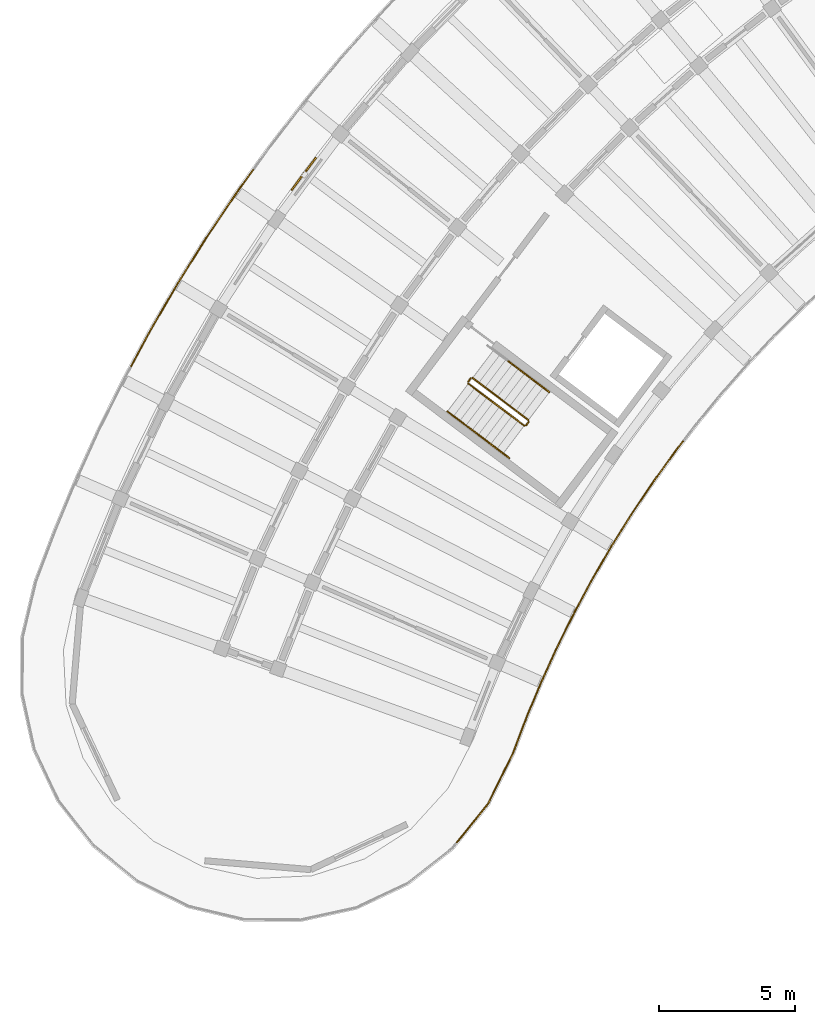
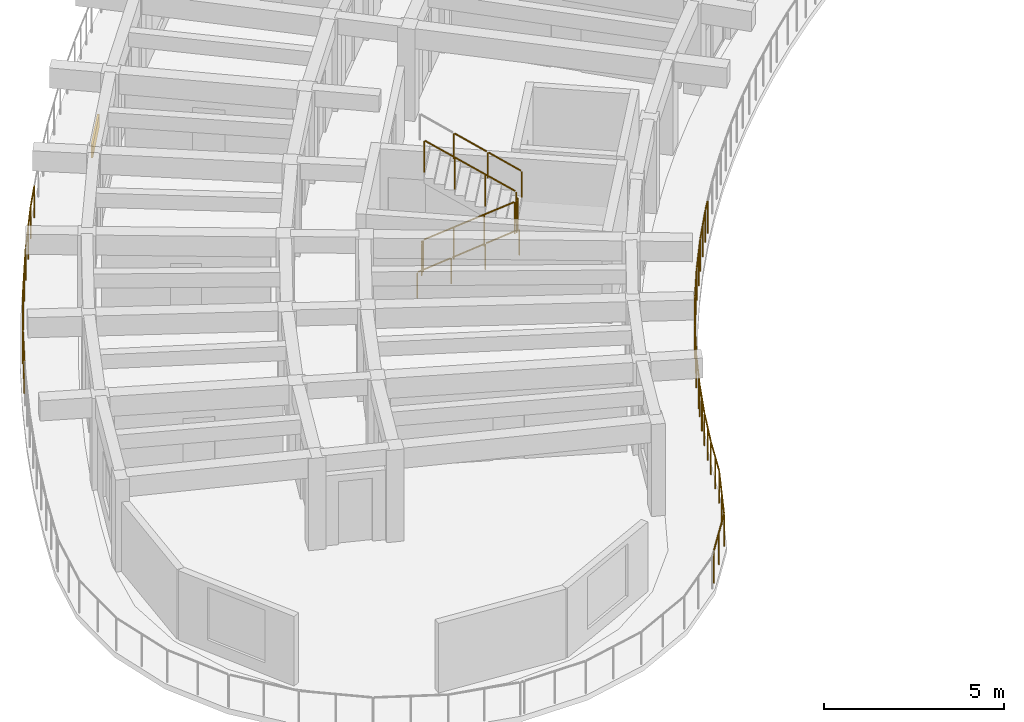
# One storey, part 33 of 41: 12 railings, 1 shading device.
"""IFC4 building model written with IfcOpenShell, lengths in metres."""

from ifc_helpers import new_model, si_unit, direction, frame, origin, origin_2d, place, context, subcontext, project, spatial, rectangle, circle, extrude, material, layer, layer_set, type_object, element, save


model = new_model("IFC4")

# Units and contexts
model_context = context("Model", 3, precision=1e-05, world=origin(), true_north=direction((0.0, 1.0)))
body_context = subcontext(model_context, "Body", "Model", "MODEL_VIEW")
ifc_project = project(units=[si_unit("LENGTHUNIT", "METRE"), si_unit("AREAUNIT", "SQUARE_METRE"), si_unit("VOLUMEUNIT", "CUBIC_METRE"), si_unit("PLANEANGLEUNIT", "RADIAN"), si_unit("MASSUNIT", "GRAM", prefix="KILO")], contexts=[model_context])

# Site, building, storey
site_placement = place(None, origin())
site = spatial("IfcSite", under=ifc_project, at=site_placement, CompositionType="ELEMENT")
building_placement = place(site_placement, origin())
building = spatial("IfcBuilding", under=site, at=building_placement, Name="Tanwirah Colonnade Gardens", CompositionType="ELEMENT")
storey_placement = place(building_placement, frame((0.0, 0.0, 35.719970703125)))
storey = spatial("IfcBuildingStorey", under=building, at=storey_placement, Name="L10", CompositionType="ELEMENT", Elevation=35.719970703125)

# Railings
ifc_material_1 = material(Name="Precast concrete C40/50", Category="concrete")
railing_type_1 = type_object("IfcRailingType", Name="BAL-EXT112", PredefinedType="BALUSTRADE", material=ifc_material_1)
railing_1_placement = place(storey_placement, frame((31.088623046875, 86.10693359375, 0.0)))
element("IfcRailing", 1, at=railing_1_placement, inside=storey, type_object=railing_type_1, Name="Block A L10 Balcony Ribbon Balustrade 5", PredefinedType="BALUSTRADE", context=body_context, shape_type="SweptSolid", body=[
    extrude(circle(Radius=0.02392578125, at=origin_2d()), frame((-0.01904296875, -0.024658203125, 1.09619140625), z_axis=(-0.611930295913, -0.790911697311, 0.0), x_axis=(0.790911697311, -0.611930295913, 0.0)), (0.0, 0.0, 1.0), 0.383544921875),
    extrude(circle(Radius=0.02392578125, at=origin_2d()), frame((-0.292724609375, -0.38037109375, 1.09619140625), z_axis=(-0.585522290474, -0.810656306556, 0.0), x_axis=(0.810656306556, -0.585522290474, 0.0)), (0.0, 0.0, 1.0), 1.341796875),
    extrude(circle(Radius=0.02392578125, at=origin_2d()), frame((-1.11572265625, -1.521484375, 1.09619140625), z_axis=(-0.558385571779, -0.829581553091, 0.0), x_axis=(0.829581553091, -0.558385571779, 0.0)), (0.0, 0.0, 1.0), 1.341796875),
    extrude(circle(Radius=0.02392578125, at=origin_2d()), frame((-1.900390625, -2.689453125, 1.09619140625), z_axis=(-0.530764445851, -0.847519382091, 0.0), x_axis=(0.847519382091, -0.530764445851, 0.0)), (0.0, 0.0, 1.0), 1.341796875),
    extrude(circle(Radius=0.02392578125, at=origin_2d()), frame((-2.646240234375, -3.88232421875, 1.09619140625), z_axis=(-0.502378729104, -0.864647681165, 0.0), x_axis=(0.864647681165, -0.502378729104, 0.0)), (0.0, 0.0, 1.0), 1.342041015625),
    extrude(circle(Radius=0.02392578125, at=origin_2d()), frame((-3.352294921875, -5.099365234375, 1.09619140625), z_axis=(-0.473716211853, -0.880677552018, 0.0), x_axis=(0.880677552018, -0.473716211853, 0.0)), (0.0, 0.0, 1.0), 1.341796875),
    extrude(circle(Radius=0.02392578125, at=origin_2d()), frame((-4.017822265625, -6.3388671875, 1.09619140625), z_axis=(-0.444617511773, -0.895720530201, 0.0), x_axis=(0.895720530201, -0.444617511773, 0.0)), (0.0, 0.0, 1.0), 0.953857421875),
    extrude(circle(Radius=0.02099609375, at=origin_2d()), origin(), (0.0, 0.0, 1.0), 1.069091796875),
    extrude(circle(Radius=0.02099609375, at=origin_2d()), frame((-0.27294921875, -0.352783203125, 0.0)), (0.0, 0.0, 1.0), 1.069091796875),
    extrude(circle(Radius=0.02099609375, at=origin_2d()), frame((-0.685546875, -0.92431640625, 0.0)), (0.0, 0.0, 1.0), 1.069091796875),
    extrude(circle(Radius=0.02099609375, at=origin_2d()), frame((-1.0966796875, -1.493408203125, 0.0)), (0.0, 0.0, 1.0), 1.069091796875),
    extrude(circle(Radius=0.02099609375, at=origin_2d()), frame((-1.490234375, -2.078125, 0.0)), (0.0, 0.0, 1.0), 1.069091796875),
    extrude(circle(Radius=0.02099609375, at=origin_2d()), frame((-1.88232421875, -2.66064453125, 0.0)), (0.0, 0.0, 1.0), 1.069091796875),
    extrude(circle(Radius=0.02099609375, at=origin_2d()), frame((-2.25634765625, -3.2578125, 0.0)), (0.0, 0.0, 1.0), 1.069091796875),
    extrude(circle(Radius=0.02099609375, at=origin_2d()), frame((-2.629150390625, -3.85302734375, 0.0)), (0.0, 0.0, 1.0), 1.069091796875),
    extrude(circle(Radius=0.02099609375, at=origin_2d()), frame((-2.9833984375, -4.46240234375, 0.0)), (0.0, 0.0, 1.0), 1.069091796875),
    extrude(circle(Radius=0.02099609375, at=origin_2d()), frame((-3.336181640625, -5.069580078125, 0.0)), (0.0, 0.0, 1.0), 1.069091796875),
    extrude(circle(Radius=0.02099609375, at=origin_2d()), frame((-3.669921875, -5.690185546875, 0.0)), (0.0, 0.0, 1.0), 1.069091796875),
    extrude(circle(Radius=0.02099609375, at=origin_2d()), frame((-4.002685546875, -6.30859375, 0.0)), (0.0, 0.0, 1.0), 1.069091796875),
    extrude(circle(Radius=0.02099609375, at=origin_2d()), frame((-4.455810546875, -7.22119140625, 0.0)), (0.0, 0.0, 1.0), 1.069091796875),
])
railing_2_placement = place(storey_placement, frame((26.6328125, 78.8857421875, 0.0)))
element("IfcRailing", 2, at=railing_2_placement, inside=storey, type_object=railing_type_1, Name="Block A L10 Balcony Ribbon Balustrade 6", PredefinedType="BALUSTRADE", context=body_context, shape_type="SweptSolid", body=[
    extrude(circle(Radius=0.02392578125, at=origin_2d()), frame((-0.013916015625, -0.028076171875, 1.09619140625), z_axis=(-0.44419105046, -0.895932090446, 0.0), x_axis=(0.895932090446, -0.44419105046, 0.0)), (0.0, 0.0, 1.0), 0.325439453125),
    extrude(circle(Radius=0.02392578125, at=origin_2d()), frame((-0.1865234375, -0.378662109375, 1.09619140625), z_axis=(-0.414654197084, -0.909979063957, 0.0), x_axis=(0.909979063957, -0.414654197084, 0.0)), (0.0, 0.0, 1.0), 1.341796875),
    extrude(circle(Radius=0.02392578125, at=origin_2d()), frame((-0.768798828125, -1.6591796875, 1.09619140625), z_axis=(-0.384541319971, -0.923107779858, 0.0), x_axis=(0.923107779858, -0.384541319971, 0.0)), (0.0, 0.0, 1.0), 1.341796875),
    extrude(circle(Radius=0.02392578125, at=origin_2d()), frame((-1.308837890625, -2.95849609375, 1.09619140625), z_axis=(-0.353834404232, -0.935308085276, 0.0), x_axis=(0.935308085276, -0.353834404232, 0.0)), (0.0, 0.0, 1.0), 1.338134765625),
    extrude(circle(Radius=0.02392578125, at=origin_2d()), frame((-1.807373046875, -4.267333984375, 1.09619140625), z_axis=(-0.441603094029, -0.897210514508, 0.0), x_axis=(0.897210514508, -0.441603094029, 0.0)), (0.0, 0.0, 1.0), 2.029541015625),
    extrude(circle(Radius=0.02392578125, at=origin_2d()), frame((-2.737060546875, -6.140380859375, 1.09619140625), z_axis=(-0.630179538414, -0.776449450618, 0.0), x_axis=(0.776449450618, -0.630179538414, 0.0)), (0.0, 0.0, 1.0), 1.740234375),
    extrude(circle(Radius=0.02099609375, at=origin_2d()), origin(), (0.0, 0.0, 1.0), 1.069091796875),
    extrude(circle(Radius=0.02099609375, at=origin_2d()), frame((-0.17236328125, -0.34765625, 0.0)), (0.0, 0.0, 1.0), 1.069091796875),
    extrude(circle(Radius=0.02099609375, at=origin_2d()), frame((-0.46484375, -0.989013671875, 0.0)), (0.0, 0.0, 1.0), 1.069091796875),
    extrude(circle(Radius=0.02099609375, at=origin_2d()), frame((-0.755859375, -1.6279296875, 0.0)), (0.0, 0.0, 1.0), 1.069091796875),
    extrude(circle(Radius=0.02099609375, at=origin_2d()), frame((-1.02685546875, -2.278564453125, 0.0)), (0.0, 0.0, 1.0), 1.069091796875),
    extrude(circle(Radius=0.02099609375, at=origin_2d()), frame((-1.296875, -2.9267578125, 0.0)), (0.0, 0.0, 1.0), 1.069091796875),
    extrude(circle(Radius=0.02099609375, at=origin_2d()), frame((-1.545654296875, -3.584228515625, 0.0)), (0.0, 0.0, 1.0), 1.069091796875),
    extrude(circle(Radius=0.02099609375, at=origin_2d()), frame((-1.79345703125, -4.2392578125, 0.0)), (0.0, 0.0, 1.0), 1.069091796875),
    extrude(circle(Radius=0.02099609375, at=origin_2d()), frame((-2.25537109375, -5.177734375, 0.0)), (0.0, 0.0, 1.0), 1.069091796875),
    extrude(circle(Radius=0.02099609375, at=origin_2d()), frame((-2.71728515625, -6.1162109375, 0.0)), (0.0, 0.0, 1.0), 1.069091796875),
    extrude(circle(Radius=0.02099609375, at=origin_2d()), frame((-3.28515625, -6.81591796875, 0.0)), (0.0, 0.0, 1.0), 1.069091796875),
    extrude(circle(Radius=0.02099609375, at=origin_2d()), frame((-3.853271484375, -7.515869140625, 0.0)), (0.0, 0.0, 1.0), 1.069091796875),
])
railing_3_placement = place(storey_placement, frame((10.804443359375, 88.873046875, 0.0)))
element("IfcRailing", 3, at=railing_3_placement, inside=storey, type_object=railing_type_1, Name="Block A L10 Balcony Ribbon Balustrade 11", PredefinedType="BALUSTRADE", context=body_context, shape_type="SweptSolid", body=[
    extrude(circle(Radius=0.02392578125, at=origin_2d()), frame((0.014892578125, 0.027587890625, 1.09619140625), z_axis=(0.473835914161, 0.880613153689, 0.0), x_axis=(-0.880613153689, 0.473835914161, 0.0)), (0.0, 0.0, 1.0), 1.371826171875),
    extrude(circle(Radius=0.02392578125, at=origin_2d()), frame((0.6953125, 1.290283203125, 1.09619140625), z_axis=(0.502421024862, 0.864623105045, 0.0), x_axis=(-0.864623105045, 0.502421024862, 0.0)), (0.0, 0.0, 1.0), 1.958984375),
    extrude(circle(Radius=0.02392578125, at=origin_2d()), frame((1.7119140625, 3.03759765625, 1.09619140625), z_axis=(0.530812919598, 0.847489023167, 0.0), x_axis=(-0.847489023167, 0.530812919598, 0.0)), (0.0, 0.0, 1.0), 1.958984375),
    extrude(circle(Radius=0.02392578125, at=origin_2d()), frame((2.78564453125, 4.75, 1.09619140625), z_axis=(0.558345997542, 0.829608188863, 0.0), x_axis=(-0.829608188863, 0.558345997542, 0.0)), (0.0, 0.0, 1.0), 1.958984375),
    extrude(circle(Radius=0.02392578125, at=origin_2d()), frame((3.915283203125, 6.426513671875, 1.09619140625), z_axis=(0.585428235316, 0.810724232581, 0.0), x_axis=(-0.810724232581, 0.585428235316, 0.0)), (0.0, 0.0, 1.0), 0.938720703125),
    extrude(circle(Radius=0.02099609375, at=origin_2d()), origin(), (0.0, 0.0, 1.0), 1.069091796875),
    extrude(circle(Radius=0.02099609375, at=origin_2d()), frame((0.33984375, 0.631591796875, 0.0)), (0.0, 0.0, 1.0), 1.069091796875),
    extrude(circle(Radius=0.02099609375, at=origin_2d()), frame((0.6796875, 1.26318359375, 0.0)), (0.0, 0.0, 1.0), 1.069091796875),
    extrude(circle(Radius=0.02099609375, at=origin_2d()), frame((1.1875, 2.13720703125, 0.0)), (0.0, 0.0, 1.0), 1.069091796875),
    extrude(circle(Radius=0.02099609375, at=origin_2d()), frame((1.6953125, 3.010986328125, 0.0)), (0.0, 0.0, 1.0), 1.069091796875),
    extrude(circle(Radius=0.02099609375, at=origin_2d()), frame((2.23193359375, 3.86767578125, 0.0)), (0.0, 0.0, 1.0), 1.069091796875),
    extrude(circle(Radius=0.02099609375, at=origin_2d()), frame((2.768310546875, 4.72412109375, 0.0)), (0.0, 0.0, 1.0), 1.069091796875),
    extrude(circle(Radius=0.02099609375, at=origin_2d()), frame((3.33251953125, 5.5625, 0.0)), (0.0, 0.0, 1.0), 1.069091796875),
    extrude(circle(Radius=0.02099609375, at=origin_2d()), frame((3.89697265625, 6.401123046875, 0.0)), (0.0, 0.0, 1.0), 1.069091796875),
    extrude(circle(Radius=0.02099609375, at=origin_2d()), frame((4.483154296875, 7.212890625, 0.0)), (0.0, 0.0, 1.0), 1.069091796875),
])
ifc_material_2 = material(Name="Powder-coated galvanized steel", Category="steel")
railing_type_2 = type_object("IfcRailingType", Name="GRD-ST110", PredefinedType="GUARDRAIL", material=ifc_material_2)
railing_4_placement = place(storey_placement, frame((23.201416015625, 88.22900390625, 0.16796875)))
element("IfcRailing", 4, at=railing_4_placement, inside=storey, type_object=railing_type_2, Name="L10 ST-A2 stair guard 1", PredefinedType="GUARDRAIL", context=body_context, shape_type="SweptSolid", body=[
    extrude(circle(Radius=0.02392578125, at=origin_2d()), frame((0.021484375, -0.01611328125, 1.092041015625), z_axis=(0.688012363654, -0.518448596756, 0.507789365762), x_axis=(0.601810650199, 0.798638805285, 0.0)), (0.0, 0.0, 1.0), 2.9150390625),
    extrude(circle(Radius=0.02099609375, at=origin_2d()), origin(), (0.0, 0.0, 1.0), 1.049072265625),
    extrude(circle(Radius=0.02099609375, at=origin_2d()), frame((0.682861328125, -0.5146484375, 0.50390625)), (0.0, 0.0, 1.0), 1.049072265625),
    extrude(circle(Radius=0.02099609375, at=origin_2d()), frame((1.36572265625, -1.029052734375, 1.008056640625)), (0.0, 0.0, 1.0), 1.049072265625),
    extrude(circle(Radius=0.02099609375, at=origin_2d()), frame((2.048583984375, -1.543701171875, 1.511962890625)), (0.0, 0.0, 1.0), 1.049072265625),
])
railing_5_placement = place(storey_placement, frame((25.320068359375, 86.695068359375, 1.679931640625)))
element("IfcRailing", 5, at=railing_5_placement, inside=storey, type_object=railing_type_2, Name="L10 ST-A2 stair guard 2", PredefinedType="GUARDRAIL", context=body_context, shape_type="SweptSolid", body=[
    extrude(circle(Radius=0.02392578125, at=origin_2d()), frame((0.018798828125, 0.02490234375, 1.076171875), z_axis=(0.600975757569, 0.799267251183, 0.0), x_axis=(-0.799267251183, 0.600975757569, 0.0)), (0.0, 0.0, 1.0), 0.09765625),
    extrude(circle(Radius=0.02099609375, at=origin_2d()), origin(), (0.0, 0.0, 1.0), 1.049072265625),
    extrude(circle(Radius=0.02099609375, at=origin_2d()), frame((0.09619140625, 0.1279296875, 0.0)), (0.0, 0.0, 1.0), 1.049072265625),
])
railing_6_placement = place(storey_placement, frame((25.406494140625, 86.89306640625, 1.84814453125)))
element("IfcRailing", 6, at=railing_6_placement, inside=storey, type_object=railing_type_2, Name="L10 ST-A2 stair guard 3", PredefinedType="GUARDRAIL", context=body_context, shape_type="SweptSolid", body=[
    extrude(circle(Radius=0.02392578125, at=origin_2d()), frame((-0.021484375, 0.01611328125, 1.092041015625), z_axis=(-0.688041610417, 0.518388637952, 0.507810951414), x_axis=(-0.60174993816, -0.798684550949, 0.0)), (0.0, 0.0, 1.0), 2.914794921875),
    extrude(circle(Radius=0.02099609375, at=origin_2d()), origin(), (0.0, 0.0, 1.0), 1.049072265625),
    extrude(circle(Radius=0.02099609375, at=origin_2d()), frame((-0.682861328125, 0.514404296875, 0.50390625)), (0.0, 0.0, 1.0), 1.049072265625),
    extrude(circle(Radius=0.02099609375, at=origin_2d()), frame((-1.36572265625, 1.029052734375, 1.008056640625)), (0.0, 0.0, 1.0), 1.049072265625),
    extrude(circle(Radius=0.02099609375, at=origin_2d()), frame((-2.048583984375, 1.54345703125, 1.511962890625)), (0.0, 0.0, 1.0), 1.049072265625),
])
railing_7_placement = place(storey_placement, frame((23.191650390625, 88.299072265625, 0.0)))
element("IfcRailing", 7, at=railing_7_placement, inside=storey, type_object=railing_type_2, Name="L10 ST-A2 stair guard 4", PredefinedType="GUARDRAIL", context=body_context, shape_type="SweptSolid", body=[
    extrude(circle(Radius=0.02392578125, at=origin_2d()), frame((0.018798828125, 0.02490234375, 1.076171875), z_axis=(0.602681987584, 0.797981467104, 0.0), x_axis=(-0.797981467104, 0.602681987584, 0.0)), (0.0, 0.0, 1.0), 0.097412109375),
    extrude(circle(Radius=0.02099609375, at=origin_2d()), origin(), (0.0, 0.0, 1.0), 1.049072265625),
    extrude(circle(Radius=0.02099609375, at=origin_2d()), frame((0.096435546875, 0.127685546875, 0.0)), (0.0, 0.0, 1.0), 1.049072265625),
])
ifc_material_3 = material(Name="Brushed bronze stainless steel", Category="steel")
railing_type_3 = type_object("IfcRailingType", Name="HR-ST090", PredefinedType="HANDRAIL", material=ifc_material_3)
railing_8_placement = place(storey_placement, frame((22.43115234375, 87.206787109375, 0.16796875)))
element("IfcRailing", 8, at=railing_8_placement, inside=storey, type_object=railing_type_3, Name="L10 ST-A2 stair handrail 1", PredefinedType="HANDRAIL", context=body_context, shape_type="SweptSolid", body=[
    extrude(circle(Radius=0.02392578125, at=origin_2d()), frame((0.021484375, -0.01611328125, 0.891845703125), z_axis=(0.686067825084, -0.516979036791, 0.511901958292), x_axis=(0.601807485929, 0.798641189696, 0.0)), (0.0, 0.0, 1.0), 1.04345703125),
    extrude(circle(Radius=0.02099609375, at=origin_2d()), origin(), (0.0, 0.0, 1.0), 0.848876953125),
    extrude(circle(Radius=0.02099609375, at=origin_2d()), frame((0.7587890625, -0.57177734375, 0.566162109375)), (0.0, 0.0, 1.0), 0.848876953125),
])
railing_9_placement = place(storey_placement, frame((23.18994140625, 86.635009765625, 0.734130859375)))
element("IfcRailing", 9, at=railing_9_placement, inside=storey, type_object=railing_type_3, Name="L10 ST-A2 stair handrail 2", PredefinedType="HANDRAIL", context=body_context, shape_type="SweptSolid", body=[
    extrude(circle(Radius=0.02392578125, at=origin_2d()), frame((0.021484375, -0.01611328125, 0.891845703125), z_axis=(0.686145346169, -0.517037451972, 0.51173903231), x_axis=(0.601807485929, 0.798641189696, 0.0)), (0.0, 0.0, 1.0), 1.04345703125),
    extrude(circle(Radius=0.02099609375, at=origin_2d()), origin(), (0.0, 0.0, 1.0), 0.848876953125),
    extrude(circle(Radius=0.02099609375, at=origin_2d()), frame((0.7587890625, -0.57177734375, 0.56591796875)), (0.0, 0.0, 1.0), 0.848876953125),
])
railing_10_placement = place(storey_placement, frame((23.94873046875, 86.063232421875, 1.300048828125)))
element("IfcRailing", 10, at=railing_10_placement, inside=storey, type_object=railing_type_3, Name="L10 ST-A2 stair handrail 3", PredefinedType="HANDRAIL", context=body_context, shape_type="SweptSolid", body=[
    extrude(circle(Radius=0.02392578125, at=origin_2d()), frame((0.021484375, -0.01611328125, 0.891845703125), z_axis=(0.686028488458, -0.517115777267, 0.511816554955), x_axis=(0.601931007785, 0.798548096152, 0.0)), (0.0, 0.0, 1.0), 1.043212890625),
    extrude(circle(Radius=0.02099609375, at=origin_2d()), origin(), (0.0, 0.0, 1.0), 0.848876953125),
    extrude(circle(Radius=0.02099609375, at=origin_2d()), frame((0.758544921875, -0.57177734375, 0.56591796875)), (0.0, 0.0, 1.0), 0.848876953125),
])
railing_11_placement = place(storey_placement, frame((26.1767578125, 87.915283203125, 1.84814453125)))
element("IfcRailing", 11, at=railing_11_placement, inside=storey, type_object=railing_type_3, Name="L10 ST-A2 stair handrail 4", PredefinedType="HANDRAIL", context=body_context, shape_type="SweptSolid", body=[
    extrude(circle(Radius=0.02392578125, at=origin_2d()), frame((-0.021484375, 0.01611328125, 0.891845703125), z_axis=(-0.686028488458, 0.517115777267, 0.511816554955), x_axis=(-0.601931007785, -0.798548096152, 0.0)), (0.0, 0.0, 1.0), 1.043212890625),
    extrude(circle(Radius=0.02099609375, at=origin_2d()), origin(), (0.0, 0.0, 1.0), 0.848876953125),
    extrude(circle(Radius=0.02099609375, at=origin_2d()), frame((-0.758544921875, 0.57177734375, 0.56591796875)), (0.0, 0.0, 1.0), 0.848876953125),
])
railing_12_placement = place(storey_placement, frame((25.418212890625, 88.487060546875, 2.4140625)))
element("IfcRailing", 12, at=railing_12_placement, inside=storey, type_object=railing_type_3, Name="L10 ST-A2 stair handrail 5", PredefinedType="HANDRAIL", context=body_context, shape_type="SweptSolid", body=[
    extrude(circle(Radius=0.02392578125, at=origin_2d()), frame((-0.021484375, 0.01611328125, 0.891845703125), z_axis=(-0.686223662955, 0.51687567406, 0.51179744232), x_axis=(-0.601643549736, -0.798764695677, 0.0)), (0.0, 0.0, 1.0), 1.043212890625),
    extrude(circle(Radius=0.02099609375, at=origin_2d()), origin(), (0.0, 0.0, 1.0), 0.848876953125),
    extrude(circle(Radius=0.02099609375, at=origin_2d()), frame((-0.7587890625, 0.571533203125, 0.56591796875)), (0.0, 0.0, 1.0), 0.848876953125),
])

# Shading device
ifc_material_4 = material(Name="Perforated architectural bronze aluminium", Category="aluminium")
ifc_layer = layer(ifc_material_4, 0.050048828125)
ifc_layer_set = layer_set([ifc_layer], Name="Perforated architectural bronze aluminium")
shading_device_type = type_object("IfcShadingDeviceType", Name="SHD-OVH1", PredefinedType="SHUTTER", material=ifc_layer_set)
shading_device_placement = place(storey_placement, frame((17.145751953125, 95.936279296875, 1.98486328125), z_axis=(0.0, 0.0, 1.0), x_axis=(-0.598712697637, -0.800963860413, 0.0)))
element("IfcShadingDevice", 13, at=shading_device_placement, inside=storey, type_object=shading_device_type, Name="Solar shading louver hood A-L10-12", PredefinedType="SHUTTER", context=body_context, shape_type="SweptSolid", body=[
    extrude(rectangle(XDim=1.5, YDim=0.06005859375, at=origin_2d()), origin(), (0.0, 0.0, 1.0), 0.449951171875),
])

save(model, "model.ifc")
